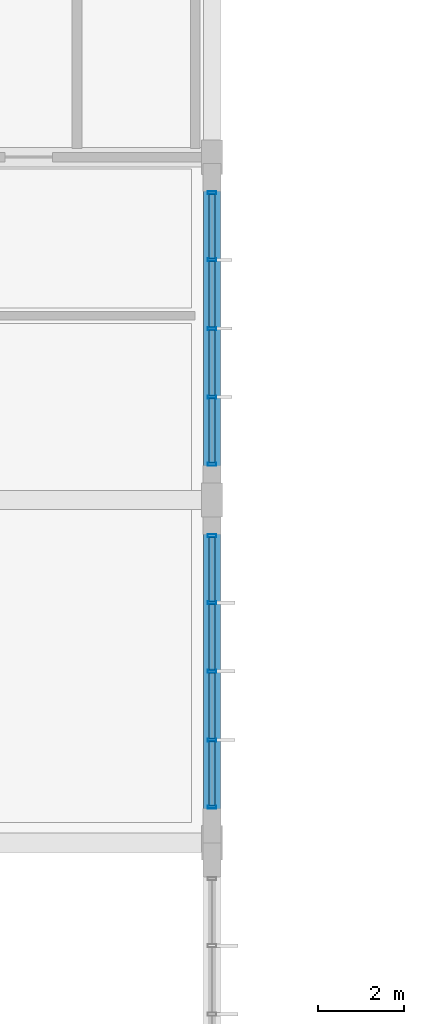
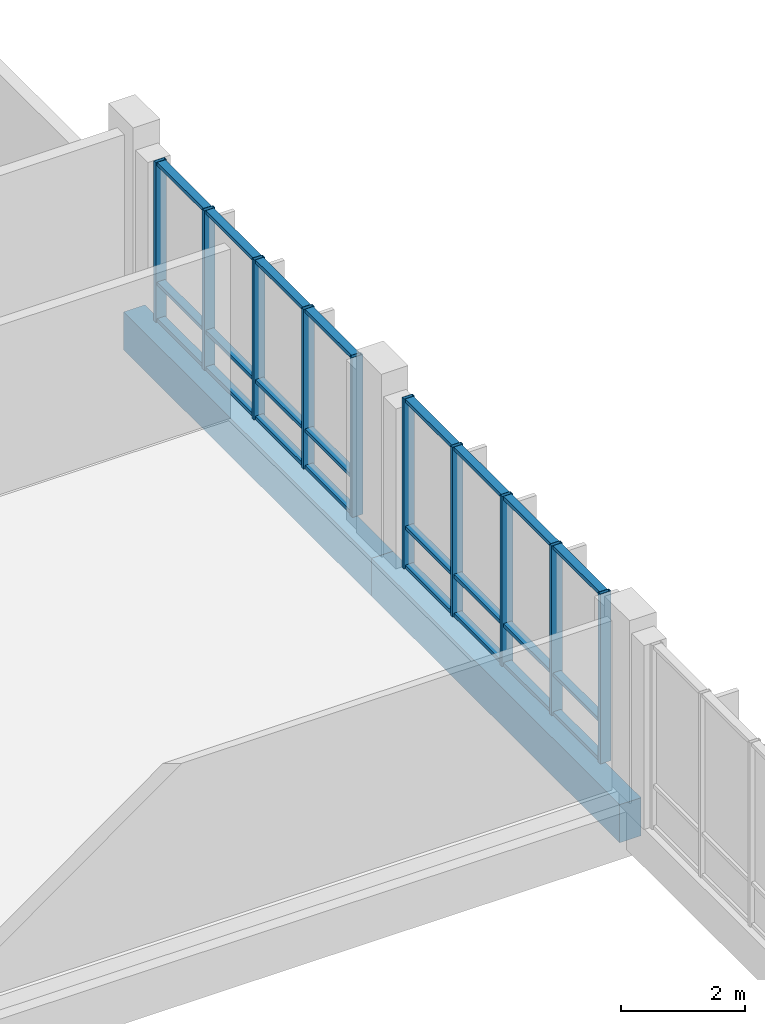
# One storey, part 89 of 189: 34 members, 2 beams, 2 elements without a shape of their own.
"""IFC4 building model written with IfcOpenShell, lengths in metres."""

from ifc_helpers import new_model, si_unit, direction, frame, origin, origin_2d, place, context, subcontext, project, spatial, rectangle, hollow_rectangle, extrude, material, material_profile, profile_set, type_object, element, aggregate, save


model = new_model("IFC4")

# Units and contexts
model_context = context("Model", 3, precision=1e-05, world=origin(), true_north=direction((0.0, 1.0)))
body_context = subcontext(model_context, "Body", "Model", "MODEL_VIEW")
ifc_project = project(units=[si_unit("LENGTHUNIT", "METRE"), si_unit("AREAUNIT", "SQUARE_METRE"), si_unit("VOLUMEUNIT", "CUBIC_METRE"), si_unit("PLANEANGLEUNIT", "RADIAN"), si_unit("MASSUNIT", "GRAM", prefix="KILO")], contexts=[model_context])

# Site, building, storey
site_placement = place(None, origin())
site = spatial("IfcSite", under=ifc_project, at=site_placement, CompositionType="ELEMENT")
building_placement = place(site_placement, origin())
building = spatial("IfcBuilding", under=site, at=building_placement, Name="Zavelmont Quarter", CompositionType="ELEMENT")
storey_placement = place(building_placement, frame((0.0, 0.0, 4.39990234375)))
storey = spatial("IfcBuildingStorey", under=building, at=storey_placement, Name="L01", CompositionType="ELEMENT", Elevation=4.39990234375)

# Beams
ifc_material_1 = material(Name="Concrete C40/50", Category="concrete")
ifc_material_profile_1 = material_profile(ifc_material_1, rectangle(XDim=0.39990234375, YDim=0.75, at=origin_2d()), Name="RC400X750")
ifc_profile_set_1 = profile_set([ifc_material_profile_1], Name="Concrete C40/50")
beam_type = type_object("IfcBeamType", Name="BM05", PredefinedType="BEAM", material=ifc_profile_set_1)
for number, where, z_axis, x_axis, name in (
    (1, (112.800048828125, 62.0, -0.65478515625), (0.0, 1.0, 0.0), (-1.0, 0.0, 0.0), "L01 beam BM05 17/K to 17/L"),
    (2, (112.800048828125, 70.0, -0.65478515625), (0.0, 1.0, 0.0), (-1.0, 0.0, 0.0), "L01 beam BM05 17/L to 17/M"),
):
    element("IfcBeam", number, at=place(storey_placement, frame(where, z_axis=z_axis, x_axis=x_axis)), inside=storey, type_object=beam_type, Name=name, PredefinedType="BEAM", context=body_context, shape_type="SweptSolid", body=[
        extrude(rectangle(XDim=0.39990234375, YDim=0.75, at=origin_2d()), origin(), (0.0, 0.0, 1.0), 8.0),
    ])

# Curtain wall, members
ifc_material_2 = material(Name="Thermally broken aluminium and double low-E safety glazing", Category="aluminium")
curtain_wall_type_1 = type_object("IfcCurtainWallType", Name="CW-640X334", PredefinedType="NOTDEFINED", material=ifc_material_2)
curtain_wall_1_placement = place(storey_placement, origin())
curtain_wall_1 = element("IfcCurtainWall", 3, at=curtain_wall_1_placement, inside=storey, type_object=curtain_wall_type_1, Name="L01 unitised curtain wall CW-640X334", PredefinedType="NOTDEFINED")
ifc_material_3 = material(Name="Powder-coated aluminium EN AW-6063-T6", Category="aluminium")
ifc_material_profile_2 = material_profile(ifc_material_3, hollow_rectangle(XDim=0.070068359375, YDim=0.199951171875, WallThickness=0.0048828125, at=origin_2d()), Name="CWM70X200")
ifc_profile_set_2 = profile_set([ifc_material_profile_2], Name="Powder-coated aluminium EN AW-6063-T6")
member_type_1 = type_object("IfcMemberType", Name="CWM02", PredefinedType="MULLION", material=ifc_profile_set_2)
member_1_placement = place(storey_placement, frame((112.800048828125, 62.8349609375, 0.0), z_axis=(0.0, 0.0, 1.0), x_axis=(0.0, 1.0, 0.0)))
member_1 = element("IfcMember", 4, at=member_1_placement, type_object=member_type_1, Name="CW-640X334 mullion 1", PredefinedType="MULLION", context=body_context, shape_type="SweptSolid", body=[
    extrude(hollow_rectangle(XDim=0.070068359375, YDim=0.199951171875, WallThickness=0.0048828125, at=origin_2d()), origin(), (0.0, 0.0, 1.0), 3.340087890625),
])
member_2_placement = place(storey_placement, frame((112.800048828125, 64.39990234375, 0.0), z_axis=(0.0, 0.0, 1.0), x_axis=(0.0, 1.0, 0.0)))
member_2 = element("IfcMember", 5, at=member_2_placement, type_object=member_type_1, Name="CW-640X334 mullion 2", PredefinedType="MULLION", context=body_context, shape_type="SweptSolid", body=[
    extrude(hollow_rectangle(XDim=0.070068359375, YDim=0.199951171875, WallThickness=0.0048828125, at=origin_2d()), origin(), (0.0, 0.0, 1.0), 3.340087890625),
])
member_3_placement = place(storey_placement, frame((112.800048828125, 66.0, 0.0), z_axis=(0.0, 0.0, 1.0), x_axis=(0.0, 1.0, 0.0)))
member_3 = element("IfcMember", 6, at=member_3_placement, type_object=member_type_1, Name="CW-640X334 mullion 3", PredefinedType="MULLION", context=body_context, shape_type="SweptSolid", body=[
    extrude(hollow_rectangle(XDim=0.070068359375, YDim=0.199951171875, WallThickness=0.0048828125, at=origin_2d()), origin(), (0.0, 0.0, 1.0), 3.340087890625),
])
member_4_placement = place(storey_placement, frame((112.800048828125, 67.60009765625, 0.0), z_axis=(0.0, 0.0, 1.0), x_axis=(0.0, 1.0, 0.0)))
member_4 = element("IfcMember", 7, at=member_4_placement, type_object=member_type_1, Name="CW-640X334 mullion 4", PredefinedType="MULLION", context=body_context, shape_type="SweptSolid", body=[
    extrude(hollow_rectangle(XDim=0.070068359375, YDim=0.199951171875, WallThickness=0.0048828125, at=origin_2d()), origin(), (0.0, 0.0, 1.0), 3.340087890625),
])
member_5_placement = place(storey_placement, frame((112.800048828125, 69.1650390625, 0.0), z_axis=(0.0, 0.0, 1.0), x_axis=(0.0, 1.0, 0.0)))
member_5 = element("IfcMember", 8, at=member_5_placement, type_object=member_type_1, Name="CW-640X334 mullion 5", PredefinedType="MULLION", context=body_context, shape_type="SweptSolid", body=[
    extrude(hollow_rectangle(XDim=0.070068359375, YDim=0.199951171875, WallThickness=0.0048828125, at=origin_2d()), origin(), (0.0, 0.0, 1.0), 3.340087890625),
])

curtain_wall_type_2 = type_object("IfcCurtainWallType", Name="CW-640X314", PredefinedType="NOTDEFINED", material=ifc_material_2)
curtain_wall_2_placement = place(storey_placement, origin())
curtain_wall_2 = element("IfcCurtainWall", 9, at=curtain_wall_2_placement, inside=storey, type_object=curtain_wall_type_2, Name="L01 unitised curtain wall CW-640X314", PredefinedType="NOTDEFINED")
member_6_placement = place(storey_placement, frame((112.800048828125, 70.8349609375, 0.0), z_axis=(0.0, 0.0, 1.0), x_axis=(0.0, 1.0, 0.0)))
member_6 = element("IfcMember", 10, at=member_6_placement, type_object=member_type_1, Name="CW-640X314 mullion 1", PredefinedType="MULLION", context=body_context, shape_type="SweptSolid", body=[
    extrude(hollow_rectangle(XDim=0.070068359375, YDim=0.199951171875, WallThickness=0.0048828125, at=origin_2d()), origin(), (0.0, 0.0, 1.0), 3.14501953125),
])
member_7_placement = place(storey_placement, frame((112.800048828125, 72.39990234375, 0.0), z_axis=(0.0, 0.0, 1.0), x_axis=(0.0, 1.0, 0.0)))
member_7 = element("IfcMember", 11, at=member_7_placement, type_object=member_type_1, Name="CW-640X314 mullion 2", PredefinedType="MULLION", context=body_context, shape_type="SweptSolid", body=[
    extrude(hollow_rectangle(XDim=0.070068359375, YDim=0.199951171875, WallThickness=0.0048828125, at=origin_2d()), origin(), (0.0, 0.0, 1.0), 3.14501953125),
])
member_8_placement = place(storey_placement, frame((112.800048828125, 74.0, 0.0), z_axis=(0.0, 0.0, 1.0), x_axis=(0.0, 1.0, 0.0)))
member_8 = element("IfcMember", 12, at=member_8_placement, type_object=member_type_1, Name="CW-640X314 mullion 3", PredefinedType="MULLION", context=body_context, shape_type="SweptSolid", body=[
    extrude(hollow_rectangle(XDim=0.070068359375, YDim=0.199951171875, WallThickness=0.0048828125, at=origin_2d()), origin(), (0.0, 0.0, 1.0), 3.14501953125),
])
member_9_placement = place(storey_placement, frame((112.800048828125, 75.60009765625, 0.0), z_axis=(0.0, 0.0, 1.0), x_axis=(0.0, 1.0, 0.0)))
member_9 = element("IfcMember", 13, at=member_9_placement, type_object=member_type_1, Name="CW-640X314 mullion 4", PredefinedType="MULLION", context=body_context, shape_type="SweptSolid", body=[
    extrude(hollow_rectangle(XDim=0.070068359375, YDim=0.199951171875, WallThickness=0.0048828125, at=origin_2d()), origin(), (0.0, 0.0, 1.0), 3.14501953125),
])
member_10_placement = place(storey_placement, frame((112.800048828125, 77.1650390625, 0.0), z_axis=(0.0, 0.0, 1.0), x_axis=(0.0, 1.0, 0.0)))
member_10 = element("IfcMember", 14, at=member_10_placement, type_object=member_type_1, Name="CW-640X314 mullion 5", PredefinedType="MULLION", context=body_context, shape_type="SweptSolid", body=[
    extrude(hollow_rectangle(XDim=0.070068359375, YDim=0.199951171875, WallThickness=0.0048828125, at=origin_2d()), origin(), (0.0, 0.0, 1.0), 3.14501953125),
])

# Member
ifc_material_profile_3 = material_profile(ifc_material_3, hollow_rectangle(XDim=0.14990234375, YDim=0.070068359375, WallThickness=0.00439453125, at=origin_2d()), Name="CWT70X150")
ifc_profile_set_3 = profile_set([ifc_material_profile_3], Name="Powder-coated aluminium EN AW-6063-T6")
member_type_2 = type_object("IfcMemberType", Name="CWT02", PredefinedType="NOTDEFINED", material=ifc_profile_set_3)
member_11_placement = place(storey_placement, frame((112.800048828125, 62.8701171875, 0.03515625), z_axis=(0.0, 1.0, 0.0), x_axis=(-1.0, 0.0, 0.0)))
member_11 = element("IfcMember", 15, at=member_11_placement, type_object=member_type_2, Name="CW-640X334 transom 1.1", ObjectType="TRANSOM", PredefinedType="USERDEFINED", context=body_context, shape_type="SweptSolid", body=[
    extrude(hollow_rectangle(XDim=0.14990234375, YDim=0.070068359375, WallThickness=0.00439453125, at=origin_2d()), origin(), (0.0, 0.0, 1.0), 1.494873046875),
])

member_12_placement = place(storey_placement, frame((112.800048828125, 62.8701171875, 0.802001953125), z_axis=(0.0, 1.0, 0.0), x_axis=(-1.0, 0.0, 0.0)))
member_12 = element("IfcMember", 16, at=member_12_placement, type_object=member_type_2, Name="CW-640X334 transom 1.2", ObjectType="TRANSOM", PredefinedType="USERDEFINED", context=body_context, shape_type="SweptSolid", body=[
    extrude(hollow_rectangle(XDim=0.14990234375, YDim=0.070068359375, WallThickness=0.00439453125, at=origin_2d()), origin(), (0.0, 0.0, 1.0), 1.494873046875),
])

member_13_placement = place(storey_placement, frame((112.800048828125, 62.8701171875, 3.30517578125), z_axis=(0.0, 1.0, 0.0), x_axis=(-1.0, 0.0, 0.0)))
member_13 = element("IfcMember", 17, at=member_13_placement, type_object=member_type_2, Name="CW-640X334 transom 1.3", ObjectType="TRANSOM", PredefinedType="USERDEFINED", context=body_context, shape_type="SweptSolid", body=[
    extrude(hollow_rectangle(XDim=0.14990234375, YDim=0.070068359375, WallThickness=0.00439453125, at=origin_2d()), origin(), (0.0, 0.0, 1.0), 1.494873046875),
])

member_14_placement = place(storey_placement, frame((112.800048828125, 64.43505859375, 0.03515625), z_axis=(0.0, 1.0, 0.0), x_axis=(-1.0, 0.0, 0.0)))
member_14 = element("IfcMember", 18, at=member_14_placement, type_object=member_type_2, Name="CW-640X334 transom 2.1", ObjectType="TRANSOM", PredefinedType="USERDEFINED", context=body_context, shape_type="SweptSolid", body=[
    extrude(hollow_rectangle(XDim=0.14990234375, YDim=0.070068359375, WallThickness=0.00439453125, at=origin_2d()), origin(), (0.0, 0.0, 1.0), 1.530029296875),
])

member_15_placement = place(storey_placement, frame((112.800048828125, 64.43505859375, 0.802001953125), z_axis=(0.0, 1.0, 0.0), x_axis=(-1.0, 0.0, 0.0)))
member_15 = element("IfcMember", 19, at=member_15_placement, type_object=member_type_2, Name="CW-640X334 transom 2.2", ObjectType="TRANSOM", PredefinedType="USERDEFINED", context=body_context, shape_type="SweptSolid", body=[
    extrude(hollow_rectangle(XDim=0.14990234375, YDim=0.070068359375, WallThickness=0.00439453125, at=origin_2d()), origin(), (0.0, 0.0, 1.0), 1.530029296875),
])

member_16_placement = place(storey_placement, frame((112.800048828125, 64.43505859375, 3.30517578125), z_axis=(0.0, 1.0, 0.0), x_axis=(-1.0, 0.0, 0.0)))
member_16 = element("IfcMember", 20, at=member_16_placement, type_object=member_type_2, Name="CW-640X334 transom 2.3", ObjectType="TRANSOM", PredefinedType="USERDEFINED", context=body_context, shape_type="SweptSolid", body=[
    extrude(hollow_rectangle(XDim=0.14990234375, YDim=0.070068359375, WallThickness=0.00439453125, at=origin_2d()), origin(), (0.0, 0.0, 1.0), 1.530029296875),
])

member_17_placement = place(storey_placement, frame((112.800048828125, 66.034912109375, 0.03515625), z_axis=(0.0, 1.0, 0.0), x_axis=(-1.0, 0.0, 0.0)))
member_17 = element("IfcMember", 21, at=member_17_placement, type_object=member_type_2, Name="CW-640X334 transom 3.1", ObjectType="TRANSOM", PredefinedType="USERDEFINED", context=body_context, shape_type="SweptSolid", body=[
    extrude(hollow_rectangle(XDim=0.14990234375, YDim=0.070068359375, WallThickness=0.00439453125, at=origin_2d()), origin(), (0.0, 0.0, 1.0), 1.530029296875),
])

member_18_placement = place(storey_placement, frame((112.800048828125, 66.034912109375, 0.802001953125), z_axis=(0.0, 1.0, 0.0), x_axis=(-1.0, 0.0, 0.0)))
member_18 = element("IfcMember", 22, at=member_18_placement, type_object=member_type_2, Name="CW-640X334 transom 3.2", ObjectType="TRANSOM", PredefinedType="USERDEFINED", context=body_context, shape_type="SweptSolid", body=[
    extrude(hollow_rectangle(XDim=0.14990234375, YDim=0.070068359375, WallThickness=0.00439453125, at=origin_2d()), origin(), (0.0, 0.0, 1.0), 1.530029296875),
])

member_19_placement = place(storey_placement, frame((112.800048828125, 66.034912109375, 3.30517578125), z_axis=(0.0, 1.0, 0.0), x_axis=(-1.0, 0.0, 0.0)))
member_19 = element("IfcMember", 23, at=member_19_placement, type_object=member_type_2, Name="CW-640X334 transom 3.3", ObjectType="TRANSOM", PredefinedType="USERDEFINED", context=body_context, shape_type="SweptSolid", body=[
    extrude(hollow_rectangle(XDim=0.14990234375, YDim=0.070068359375, WallThickness=0.00439453125, at=origin_2d()), origin(), (0.0, 0.0, 1.0), 1.530029296875),
])

member_20_placement = place(storey_placement, frame((112.800048828125, 67.635009765625, 0.03515625), z_axis=(0.0, 1.0, 0.0), x_axis=(-1.0, 0.0, 0.0)))
member_20 = element("IfcMember", 24, at=member_20_placement, type_object=member_type_2, Name="CW-640X334 transom 4.1", ObjectType="TRANSOM", PredefinedType="USERDEFINED", context=body_context, shape_type="SweptSolid", body=[
    extrude(hollow_rectangle(XDim=0.14990234375, YDim=0.070068359375, WallThickness=0.00439453125, at=origin_2d()), origin(), (0.0, 0.0, 1.0), 1.494873046875),
])

member_21_placement = place(storey_placement, frame((112.800048828125, 67.635009765625, 0.802001953125), z_axis=(0.0, 1.0, 0.0), x_axis=(-1.0, 0.0, 0.0)))
member_21 = element("IfcMember", 25, at=member_21_placement, type_object=member_type_2, Name="CW-640X334 transom 4.2", ObjectType="TRANSOM", PredefinedType="USERDEFINED", context=body_context, shape_type="SweptSolid", body=[
    extrude(hollow_rectangle(XDim=0.14990234375, YDim=0.070068359375, WallThickness=0.00439453125, at=origin_2d()), origin(), (0.0, 0.0, 1.0), 1.494873046875),
])

member_22_placement = place(storey_placement, frame((112.800048828125, 67.635009765625, 3.30517578125), z_axis=(0.0, 1.0, 0.0), x_axis=(-1.0, 0.0, 0.0)))
member_22 = element("IfcMember", 26, at=member_22_placement, type_object=member_type_2, Name="CW-640X334 transom 4.3", ObjectType="TRANSOM", PredefinedType="USERDEFINED", context=body_context, shape_type="SweptSolid", body=[
    extrude(hollow_rectangle(XDim=0.14990234375, YDim=0.070068359375, WallThickness=0.00439453125, at=origin_2d()), origin(), (0.0, 0.0, 1.0), 1.494873046875),
])

aggregate(curtain_wall_1, [member_1, member_2, member_3, member_4, member_5, member_11, member_12, member_13, member_14, member_15, member_16, member_17, member_18, member_19, member_20, member_21, member_22])

member_23_placement = place(storey_placement, frame((112.800048828125, 70.8701171875, 0.03515625), z_axis=(0.0, 1.0, 0.0), x_axis=(-1.0, 0.0, 0.0)))
member_23 = element("IfcMember", 27, at=member_23_placement, type_object=member_type_2, Name="CW-640X314 transom 1.1", ObjectType="TRANSOM", PredefinedType="USERDEFINED", context=body_context, shape_type="SweptSolid", body=[
    extrude(hollow_rectangle(XDim=0.14990234375, YDim=0.070068359375, WallThickness=0.00439453125, at=origin_2d()), origin(), (0.0, 0.0, 1.0), 1.494873046875),
])

member_24_placement = place(storey_placement, frame((112.800048828125, 70.8701171875, 0.755126953125), z_axis=(0.0, 1.0, 0.0), x_axis=(-1.0, 0.0, 0.0)))
member_24 = element("IfcMember", 28, at=member_24_placement, type_object=member_type_2, Name="CW-640X314 transom 1.2", ObjectType="TRANSOM", PredefinedType="USERDEFINED", context=body_context, shape_type="SweptSolid", body=[
    extrude(hollow_rectangle(XDim=0.14990234375, YDim=0.070068359375, WallThickness=0.00439453125, at=origin_2d()), origin(), (0.0, 0.0, 1.0), 1.494873046875),
])

member_25_placement = place(storey_placement, frame((112.800048828125, 70.8701171875, 3.110107421875), z_axis=(0.0, 1.0, 0.0), x_axis=(-1.0, 0.0, 0.0)))
member_25 = element("IfcMember", 29, at=member_25_placement, type_object=member_type_2, Name="CW-640X314 transom 1.3", ObjectType="TRANSOM", PredefinedType="USERDEFINED", context=body_context, shape_type="SweptSolid", body=[
    extrude(hollow_rectangle(XDim=0.14990234375, YDim=0.070068359375, WallThickness=0.00439453125, at=origin_2d()), origin(), (0.0, 0.0, 1.0), 1.494873046875),
])

member_26_placement = place(storey_placement, frame((112.800048828125, 72.43505859375, 0.03515625), z_axis=(0.0, 1.0, 0.0), x_axis=(-1.0, 0.0, 0.0)))
member_26 = element("IfcMember", 30, at=member_26_placement, type_object=member_type_2, Name="CW-640X314 transom 2.1", ObjectType="TRANSOM", PredefinedType="USERDEFINED", context=body_context, shape_type="SweptSolid", body=[
    extrude(hollow_rectangle(XDim=0.14990234375, YDim=0.070068359375, WallThickness=0.00439453125, at=origin_2d()), origin(), (0.0, 0.0, 1.0), 1.530029296875),
])

member_27_placement = place(storey_placement, frame((112.800048828125, 72.43505859375, 0.755126953125), z_axis=(0.0, 1.0, 0.0), x_axis=(-1.0, 0.0, 0.0)))
member_27 = element("IfcMember", 31, at=member_27_placement, type_object=member_type_2, Name="CW-640X314 transom 2.2", ObjectType="TRANSOM", PredefinedType="USERDEFINED", context=body_context, shape_type="SweptSolid", body=[
    extrude(hollow_rectangle(XDim=0.14990234375, YDim=0.070068359375, WallThickness=0.00439453125, at=origin_2d()), origin(), (0.0, 0.0, 1.0), 1.530029296875),
])

member_28_placement = place(storey_placement, frame((112.800048828125, 72.43505859375, 3.110107421875), z_axis=(0.0, 1.0, 0.0), x_axis=(-1.0, 0.0, 0.0)))
member_28 = element("IfcMember", 32, at=member_28_placement, type_object=member_type_2, Name="CW-640X314 transom 2.3", ObjectType="TRANSOM", PredefinedType="USERDEFINED", context=body_context, shape_type="SweptSolid", body=[
    extrude(hollow_rectangle(XDim=0.14990234375, YDim=0.070068359375, WallThickness=0.00439453125, at=origin_2d()), origin(), (0.0, 0.0, 1.0), 1.530029296875),
])

member_29_placement = place(storey_placement, frame((112.800048828125, 74.034912109375, 0.03515625), z_axis=(0.0, 1.0, 0.0), x_axis=(-1.0, 0.0, 0.0)))
member_29 = element("IfcMember", 33, at=member_29_placement, type_object=member_type_2, Name="CW-640X314 transom 3.1", ObjectType="TRANSOM", PredefinedType="USERDEFINED", context=body_context, shape_type="SweptSolid", body=[
    extrude(hollow_rectangle(XDim=0.14990234375, YDim=0.070068359375, WallThickness=0.00439453125, at=origin_2d()), origin(), (0.0, 0.0, 1.0), 1.530029296875),
])

member_30_placement = place(storey_placement, frame((112.800048828125, 74.034912109375, 0.755126953125), z_axis=(0.0, 1.0, 0.0), x_axis=(-1.0, 0.0, 0.0)))
member_30 = element("IfcMember", 34, at=member_30_placement, type_object=member_type_2, Name="CW-640X314 transom 3.2", ObjectType="TRANSOM", PredefinedType="USERDEFINED", context=body_context, shape_type="SweptSolid", body=[
    extrude(hollow_rectangle(XDim=0.14990234375, YDim=0.070068359375, WallThickness=0.00439453125, at=origin_2d()), origin(), (0.0, 0.0, 1.0), 1.530029296875),
])

member_31_placement = place(storey_placement, frame((112.800048828125, 74.034912109375, 3.110107421875), z_axis=(0.0, 1.0, 0.0), x_axis=(-1.0, 0.0, 0.0)))
member_31 = element("IfcMember", 35, at=member_31_placement, type_object=member_type_2, Name="CW-640X314 transom 3.3", ObjectType="TRANSOM", PredefinedType="USERDEFINED", context=body_context, shape_type="SweptSolid", body=[
    extrude(hollow_rectangle(XDim=0.14990234375, YDim=0.070068359375, WallThickness=0.00439453125, at=origin_2d()), origin(), (0.0, 0.0, 1.0), 1.530029296875),
])

member_32_placement = place(storey_placement, frame((112.800048828125, 75.635009765625, 0.03515625), z_axis=(0.0, 1.0, 0.0), x_axis=(-1.0, 0.0, 0.0)))
member_32 = element("IfcMember", 36, at=member_32_placement, type_object=member_type_2, Name="CW-640X314 transom 4.1", ObjectType="TRANSOM", PredefinedType="USERDEFINED", context=body_context, shape_type="SweptSolid", body=[
    extrude(hollow_rectangle(XDim=0.14990234375, YDim=0.070068359375, WallThickness=0.00439453125, at=origin_2d()), origin(), (0.0, 0.0, 1.0), 1.494873046875),
])

member_33_placement = place(storey_placement, frame((112.800048828125, 75.635009765625, 0.755126953125), z_axis=(0.0, 1.0, 0.0), x_axis=(-1.0, 0.0, 0.0)))
member_33 = element("IfcMember", 37, at=member_33_placement, type_object=member_type_2, Name="CW-640X314 transom 4.2", ObjectType="TRANSOM", PredefinedType="USERDEFINED", context=body_context, shape_type="SweptSolid", body=[
    extrude(hollow_rectangle(XDim=0.14990234375, YDim=0.070068359375, WallThickness=0.00439453125, at=origin_2d()), origin(), (0.0, 0.0, 1.0), 1.494873046875),
])

member_34_placement = place(storey_placement, frame((112.800048828125, 75.635009765625, 3.110107421875), z_axis=(0.0, 1.0, 0.0), x_axis=(-1.0, 0.0, 0.0)))
member_34 = element("IfcMember", 38, at=member_34_placement, type_object=member_type_2, Name="CW-640X314 transom 4.3", ObjectType="TRANSOM", PredefinedType="USERDEFINED", context=body_context, shape_type="SweptSolid", body=[
    extrude(hollow_rectangle(XDim=0.14990234375, YDim=0.070068359375, WallThickness=0.00439453125, at=origin_2d()), origin(), (0.0, 0.0, 1.0), 1.494873046875),
])

aggregate(curtain_wall_2, [member_6, member_7, member_8, member_9, member_10, member_23, member_24, member_25, member_26, member_27, member_28, member_29, member_30, member_31, member_32, member_33, member_34])

save(model, "model.ifc")
